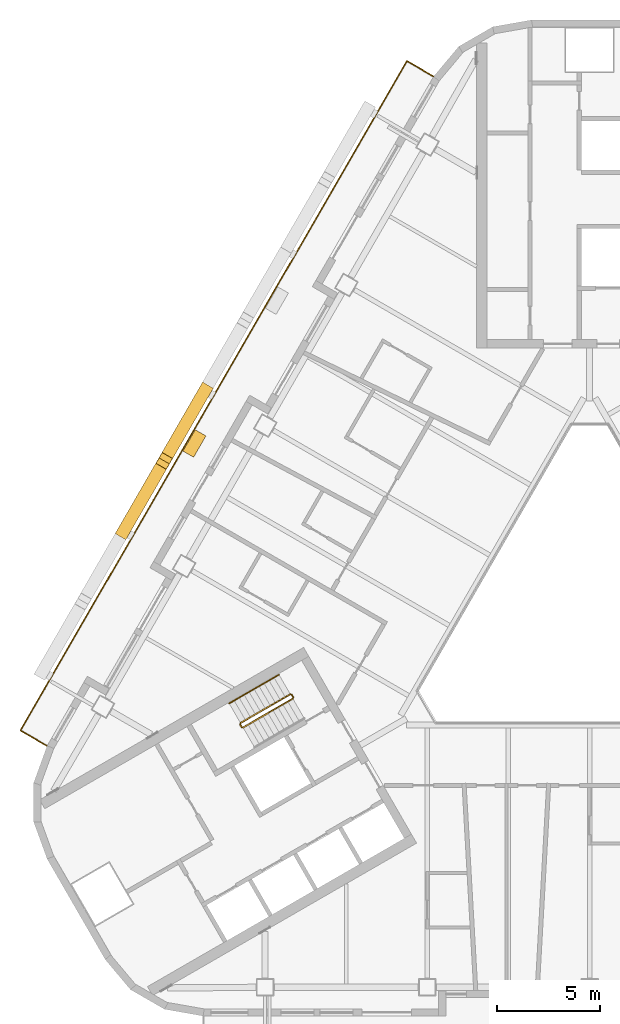
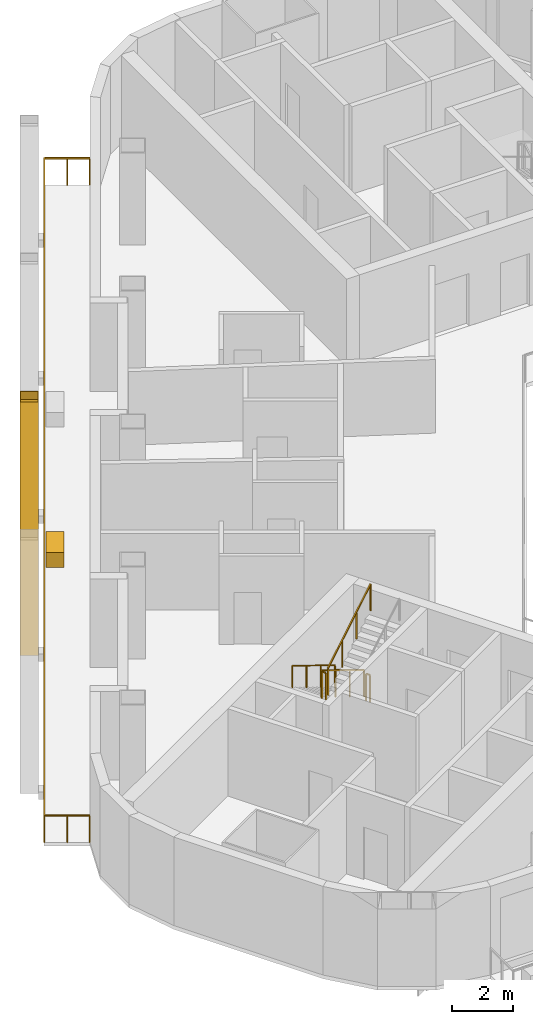
# One storey, part 13 of 17: 6 railings, 2 shading devices, 1 covering.
"""IFC4 building model written with IfcOpenShell, lengths in metres."""

from ifc_helpers import new_model, si_unit, direction, frame, origin, origin_2d, place, context, subcontext, project, spatial, rectangle, hollow_rectangle, circle, extrude, material, material_profile, profile_set, type_object, element, save


model = new_model("IFC4")

# Units and contexts
model_context = context("Model", 3, precision=1e-05, world=origin(), true_north=direction((0.0, 1.0)))
body_context = subcontext(model_context, "Body", "Model", "MODEL_VIEW")
ifc_project = project(units=[si_unit("LENGTHUNIT", "METRE"), si_unit("AREAUNIT", "SQUARE_METRE"), si_unit("VOLUMEUNIT", "CUBIC_METRE"), si_unit("PLANEANGLEUNIT", "RADIAN"), si_unit("MASSUNIT", "GRAM", prefix="KILO")], contexts=[model_context])

# Site, building, storey
site_placement = place(None, origin())
site = spatial("IfcSite", under=ifc_project, at=site_placement, CompositionType="ELEMENT")
building_placement = place(site_placement, origin())
building = spatial("IfcBuilding", under=site, at=building_placement, Name="Apuvela Tower Hotel", CompositionType="ELEMENT")
storey_placement = place(building_placement, frame((0.0, 0.0, 146.60009765625)))
storey = spatial("IfcBuildingStorey", under=building, at=storey_placement, Name="L34", CompositionType="ELEMENT", Elevation=146.60009765625)

# Railings
ifc_material_1 = material(Name="Steel S275 balustrade", Category="steel")
railing_type_1 = type_object("IfcRailingType", Name="COR-GUARD-1100", PredefinedType="GUARDRAIL", material=ifc_material_1)
railing_1_placement = place(storey_placement, frame((-14.569091796875, -3.9658203125, 0.16796875)))
element("IfcRailing", 1, at=railing_1_placement, inside=storey, type_object=railing_type_1, Name="L34 ST2 stair guard 1", PredefinedType="GUARDRAIL", context=body_context, shape_type="SweptSolid", body=[
    extrude(rectangle(XDim=0.048095703125, YDim=0.048095703125, at=origin_2d()), frame((0.0, 0.0, 1.076171875), z_axis=(-0.742390482028, -0.42860119049, 0.514934356695), x_axis=(0.49998411664, -0.866034573852, 0.0)), (0.0, 0.0, 1.0), 3.26611328125),
    extrude(rectangle(XDim=0.0419921875, YDim=0.0419921875, at=origin_2d()), origin(), (0.0, 0.0, 1.0), 1.052001953125),
    extrude(rectangle(XDim=0.0419921875, YDim=0.0419921875, at=origin_2d()), frame((-0.808349609375, -0.466552734375, 0.560546875)), (0.0, 0.0, 1.0), 1.052001953125),
    extrude(rectangle(XDim=0.0419921875, YDim=0.0419921875, at=origin_2d()), frame((-1.616455078125, -0.933349609375, 1.121337890625)), (0.0, 0.0, 1.0), 1.052001953125),
    extrude(rectangle(XDim=0.0419921875, YDim=0.0419921875, at=origin_2d()), frame((-2.4248046875, -1.39990234375, 1.681884765625)), (0.0, 0.0, 1.0), 1.052001953125),
])
railing_2_placement = place(storey_placement, frame((-17.01220703125, -5.43408203125, 1.849853515625)))
element("IfcRailing", 2, at=railing_2_placement, inside=storey, type_object=railing_type_1, Name="L34 ST2 stair guard 2", PredefinedType="GUARDRAIL", context=body_context, shape_type="SweptSolid", body=[
    extrude(rectangle(XDim=0.048095703125, YDim=0.048095703125, at=origin_2d()), frame((0.0, 0.0, 1.076171875), z_axis=(0.499816412211, -0.866131372301, 0.0), x_axis=(0.866131372301, 0.499816412211, 0.0)), (0.0, 0.0, 1.0), 0.14990234375),
    extrude(rectangle(XDim=0.0419921875, YDim=0.0419921875, at=origin_2d()), origin(), (0.0, 0.0, 1.0), 1.052001953125),
    extrude(rectangle(XDim=0.0419921875, YDim=0.0419921875, at=origin_2d()), frame((0.074951171875, -0.1298828125, 0.0)), (0.0, 0.0, 1.0), 1.052001953125),
])
railing_3_placement = place(storey_placement, frame((-16.868896484375, -5.582275390625, 2.01806640625)))
element("IfcRailing", 3, at=railing_3_placement, inside=storey, type_object=railing_type_1, Name="L34 ST2 stair guard 3", PredefinedType="GUARDRAIL", context=body_context, shape_type="SweptSolid", body=[
    extrude(rectangle(XDim=0.048095703125, YDim=0.048095703125, at=origin_2d()), frame((0.0, 0.0, 1.076171875), z_axis=(0.742390482028, 0.42860119049, 0.514934356695), x_axis=(-0.49998411664, 0.866034573852, 0.0)), (0.0, 0.0, 1.0), 3.26611328125),
    extrude(rectangle(XDim=0.0419921875, YDim=0.0419921875, at=origin_2d()), origin(), (0.0, 0.0, 1.0), 1.052001953125),
    extrude(rectangle(XDim=0.0419921875, YDim=0.0419921875, at=origin_2d()), frame((0.808349609375, 0.466552734375, 0.560546875)), (0.0, 0.0, 1.0), 1.052001953125),
    extrude(rectangle(XDim=0.0419921875, YDim=0.0419921875, at=origin_2d()), frame((1.616455078125, 0.933349609375, 1.121337890625)), (0.0, 0.0, 1.0), 1.052001953125),
    extrude(rectangle(XDim=0.0419921875, YDim=0.0419921875, at=origin_2d()), frame((2.4248046875, 1.39990234375, 1.681884765625)), (0.0, 0.0, 1.0), 1.052001953125),
])
railing_4_placement = place(storey_placement, frame((-14.500732421875, -3.984130859375, 0.0)))
element("IfcRailing", 4, at=railing_4_placement, inside=storey, type_object=railing_type_1, Name="L34 ST2 stair guard 4", PredefinedType="GUARDRAIL", context=body_context, shape_type="SweptSolid", body=[
    extrude(rectangle(XDim=0.048095703125, YDim=0.048095703125, at=origin_2d()), frame((0.0, 0.0, 1.076171875), z_axis=(0.499816412211, -0.866131372301, 0.0), x_axis=(0.866131372301, 0.499816412211, 0.0)), (0.0, 0.0, 1.0), 0.14990234375),
    extrude(rectangle(XDim=0.0419921875, YDim=0.0419921875, at=origin_2d()), origin(), (0.0, 0.0, 1.0), 1.052001953125),
    extrude(rectangle(XDim=0.0419921875, YDim=0.0419921875, at=origin_2d()), frame((0.074951171875, -0.1298828125, 0.0)), (0.0, 0.0, 1.0), 1.052001953125),
])
ifc_material_2 = material(Name="Stainless steel 316 handrail", Category="steel")
railing_type_2 = type_object("IfcRailingType", Name="COR-HANDRAIL-900", PredefinedType="HANDRAIL", material=ifc_material_2)
railing_5_placement = place(storey_placement, frame((-15.118896484375, -3.01318359375, 0.16796875)))
element("IfcRailing", 5, at=railing_5_placement, inside=storey, type_object=railing_type_2, Name="L34 ST2 stair handrail 1", PredefinedType="HANDRAIL", context=body_context, shape_type="SweptSolid", body=[
    extrude(circle(Radius=0.02392578125, at=origin_2d()), frame((0.0, 0.0, 0.8759765625), z_axis=(-0.742424030051, -0.428577407461, 0.514905783049), x_axis=(0.49994636267, -0.866056369097, 0.0)), (0.0, 0.0, 1.0), 3.266357421875),
    extrude(rectangle(XDim=0.0419921875, YDim=0.0419921875, at=origin_2d()), origin(), (0.0, 0.0, 1.0), 0.851806640625),
    extrude(rectangle(XDim=0.0419921875, YDim=0.0419921875, at=origin_2d()), frame((-0.808349609375, -0.466552734375, 0.560546875)), (0.0, 0.0, 1.0), 0.851806640625),
    extrude(rectangle(XDim=0.0419921875, YDim=0.0419921875, at=origin_2d()), frame((-1.61669921875, -0.933349609375, 1.121337890625)), (0.0, 0.0, 1.0), 0.851806640625),
    extrude(rectangle(XDim=0.0419921875, YDim=0.0419921875, at=origin_2d()), frame((-2.425048828125, -1.39990234375, 1.681884765625)), (0.0, 0.0, 1.0), 0.851806640625),
])

# Shading devices
ifc_material_3 = material(Name="Aluminium 6063-T6, black anodised", Category="aluminium")
ifc_material_profile = material_profile(ifc_material_3, hollow_rectangle(XDim=0.60009765625, YDim=0.699951171875, WallThickness=0.011962890625, at=origin_2d()), Name="AL BOX 700x600x12")
ifc_profile_set = profile_set([ifc_material_profile], Name="Aluminium 6063-T6, black anodised")
shading_device_type = type_object("IfcShadingDeviceType", Name="ENV-FIN-700x600", PredefinedType="USERDEFINED", material=ifc_profile_set)
shading_device_1_placement = place(storey_placement, frame((-18.732177734375, 10.81494140625, -0.10009765625), z_axis=(-0.235436388043, -0.407800622186, 0.882195193667), x_axis=(0.866032218625, -0.499988196164, 0.0)))
element("IfcShadingDevice", 6, at=shading_device_1_placement, inside=storey, type_object=shading_device_type, Name="Lattice fin NW389", ObjectType="FIN", PredefinedType="USERDEFINED", context=body_context, shape_type="SweptSolid", body=[
    extrude(hollow_rectangle(XDim=0.60009765625, YDim=0.699951171875, WallThickness=0.011962890625, at=origin_2d()), origin(), (0.0, 0.0, 1.0), 8.387939453125),
])
shading_device_2_placement = place(storey_placement, frame((-22.68212890625, 3.973388671875, -0.10009765625), z_axis=(0.235461085354, 0.407822092458, 0.882178677019), x_axis=(-0.866020906874, 0.500007788796, 0.0)))
element("IfcShadingDevice", 7, at=shading_device_2_placement, inside=storey, type_object=shading_device_type, Name="Lattice fin NW390", ObjectType="FIN", PredefinedType="USERDEFINED", context=body_context, shape_type="SweptSolid", body=[
    extrude(hollow_rectangle(XDim=0.60009765625, YDim=0.699951171875, WallThickness=0.011962890625, at=origin_2d()), origin(), (0.0, 0.0, 1.0), 8.38818359375),
])

# Railing
ifc_material_4 = material(Name="Stainless steel 316 rail with laminated glass infill", Category="steel")
railing_type_3 = type_object("IfcRailingType", Name="ENV-GUARD-1100", PredefinedType="GUARDRAIL", material=ifc_material_4)
railing_6_placement = place(storey_placement, frame((-7.59228515625, 26.110107421875, 0.0)))
element("IfcRailing", 8, at=railing_6_placement, inside=storey, type_object=railing_type_3, Name="Balcony guard NW L34", PredefinedType="GUARDRAIL", context=body_context, shape_type="SweptSolid", body=[
    extrude(rectangle(XDim=0.050048828125, YDim=0.050048828125, at=origin_2d()), frame((0.0, 0.0, 1.0751953125), z_axis=(-0.86599040064, 0.500060622324, 0.0), x_axis=(-0.500060622324, -0.86599040064, 0.0)), (0.0, 0.0, 1.0), 1.499755859375),
    extrude(rectangle(XDim=0.050048828125, YDim=0.050048828125, at=origin_2d()), frame((-1.298828125, 0.75, 1.0751953125), z_axis=(-0.500000437506, -0.86602515119, 0.0), x_axis=(0.86602515119, -0.500000437506, 0.0)), (0.0, 0.0, 1.0), 37.6318359375),
    extrude(rectangle(XDim=0.050048828125, YDim=0.050048828125, at=origin_2d()), frame((-20.11474609375, -31.840087890625, 1.0751953125), z_axis=(0.866031096941, -0.499990139034, 0.0), x_axis=(0.499990139034, 0.866031096941, 0.0)), (0.0, 0.0, 1.0), 1.5),
    extrude(rectangle(XDim=0.0400390625, YDim=0.0400390625, at=origin_2d()), origin(), (0.0, 0.0, 1.0), 1.050048828125),
    extrude(rectangle(XDim=0.0400390625, YDim=0.0400390625, at=origin_2d()), frame((-0.6494140625, 0.375, 0.0)), (0.0, 0.0, 1.0), 1.050048828125),
    extrude(rectangle(XDim=0.0400390625, YDim=0.0400390625, at=origin_2d()), frame((-1.298828125, 0.75, 0.0)), (0.0, 0.0, 1.0), 1.050048828125),
    extrude(rectangle(XDim=0.0400390625, YDim=0.0400390625, at=origin_2d()), frame((-1.88671875, -0.2685546875, 0.0)), (0.0, 0.0, 1.0), 1.050048828125),
    extrude(rectangle(XDim=0.0400390625, YDim=0.0400390625, at=origin_2d()), frame((-2.474853515625, -1.286865234375, 0.0)), (0.0, 0.0, 1.0), 1.050048828125),
    extrude(rectangle(XDim=0.0400390625, YDim=0.0400390625, at=origin_2d()), frame((-3.062744140625, -2.305419921875, 0.0)), (0.0, 0.0, 1.0), 1.050048828125),
    extrude(rectangle(XDim=0.0400390625, YDim=0.0400390625, at=origin_2d()), frame((-3.65087890625, -3.32373046875, 0.0)), (0.0, 0.0, 1.0), 1.050048828125),
    extrude(rectangle(XDim=0.0400390625, YDim=0.0400390625, at=origin_2d()), frame((-4.23876953125, -4.34228515625, 0.0)), (0.0, 0.0, 1.0), 1.050048828125),
    extrude(rectangle(XDim=0.0400390625, YDim=0.0400390625, at=origin_2d()), frame((-4.826904296875, -5.360595703125, 0.0)), (0.0, 0.0, 1.0), 1.050048828125),
    extrude(rectangle(XDim=0.0400390625, YDim=0.0400390625, at=origin_2d()), frame((-5.414794921875, -6.379150390625, 0.0)), (0.0, 0.0, 1.0), 1.050048828125),
    extrude(rectangle(XDim=0.0400390625, YDim=0.0400390625, at=origin_2d()), frame((-6.0029296875, -7.3974609375, 0.0)), (0.0, 0.0, 1.0), 1.050048828125),
    extrude(rectangle(XDim=0.0400390625, YDim=0.0400390625, at=origin_2d()), frame((-6.5908203125, -8.416015625, 0.0)), (0.0, 0.0, 1.0), 1.050048828125),
    extrude(rectangle(XDim=0.0400390625, YDim=0.0400390625, at=origin_2d()), frame((-7.1787109375, -9.434326171875, 0.0)), (0.0, 0.0, 1.0), 1.050048828125),
    extrude(rectangle(XDim=0.0400390625, YDim=0.0400390625, at=origin_2d()), frame((-7.766845703125, -10.452880859375, 0.0)), (0.0, 0.0, 1.0), 1.050048828125),
    extrude(rectangle(XDim=0.0400390625, YDim=0.0400390625, at=origin_2d()), frame((-8.354736328125, -11.47119140625, 0.0)), (0.0, 0.0, 1.0), 1.050048828125),
    extrude(rectangle(XDim=0.0400390625, YDim=0.0400390625, at=origin_2d()), frame((-8.94287109375, -12.48974609375, 0.0)), (0.0, 0.0, 1.0), 1.050048828125),
    extrude(rectangle(XDim=0.0400390625, YDim=0.0400390625, at=origin_2d()), frame((-9.53076171875, -13.508056640625, 0.0)), (0.0, 0.0, 1.0), 1.050048828125),
    extrude(rectangle(XDim=0.0400390625, YDim=0.0400390625, at=origin_2d()), frame((-10.118896484375, -14.526611328125, 0.0)), (0.0, 0.0, 1.0), 1.050048828125),
    extrude(rectangle(XDim=0.0400390625, YDim=0.0400390625, at=origin_2d()), frame((-10.706787109375, -15.544921875, 0.0)), (0.0, 0.0, 1.0), 1.050048828125),
    extrude(rectangle(XDim=0.0400390625, YDim=0.0400390625, at=origin_2d()), frame((-11.294677734375, -16.5634765625, 0.0)), (0.0, 0.0, 1.0), 1.050048828125),
    extrude(rectangle(XDim=0.0400390625, YDim=0.0400390625, at=origin_2d()), frame((-11.8828125, -17.58203125, 0.0)), (0.0, 0.0, 1.0), 1.050048828125),
    extrude(rectangle(XDim=0.0400390625, YDim=0.0400390625, at=origin_2d()), frame((-12.470703125, -18.600341796875, 0.0)), (0.0, 0.0, 1.0), 1.050048828125),
    extrude(rectangle(XDim=0.0400390625, YDim=0.0400390625, at=origin_2d()), frame((-13.058837890625, -19.618896484375, 0.0)), (0.0, 0.0, 1.0), 1.050048828125),
    extrude(rectangle(XDim=0.0400390625, YDim=0.0400390625, at=origin_2d()), frame((-13.646728515625, -20.63720703125, 0.0)), (0.0, 0.0, 1.0), 1.050048828125),
    extrude(rectangle(XDim=0.0400390625, YDim=0.0400390625, at=origin_2d()), frame((-14.23486328125, -21.65576171875, 0.0)), (0.0, 0.0, 1.0), 1.050048828125),
    extrude(rectangle(XDim=0.0400390625, YDim=0.0400390625, at=origin_2d()), frame((-14.82275390625, -22.674072265625, 0.0)), (0.0, 0.0, 1.0), 1.050048828125),
    extrude(rectangle(XDim=0.0400390625, YDim=0.0400390625, at=origin_2d()), frame((-15.41064453125, -23.692626953125, 0.0)), (0.0, 0.0, 1.0), 1.050048828125),
    extrude(rectangle(XDim=0.0400390625, YDim=0.0400390625, at=origin_2d()), frame((-15.998779296875, -24.7109375, 0.0)), (0.0, 0.0, 1.0), 1.050048828125),
    extrude(rectangle(XDim=0.0400390625, YDim=0.0400390625, at=origin_2d()), frame((-16.586669921875, -25.7294921875, 0.0)), (0.0, 0.0, 1.0), 1.050048828125),
    extrude(rectangle(XDim=0.0400390625, YDim=0.0400390625, at=origin_2d()), frame((-17.1748046875, -26.747802734375, 0.0)), (0.0, 0.0, 1.0), 1.050048828125),
    extrude(rectangle(XDim=0.0400390625, YDim=0.0400390625, at=origin_2d()), frame((-17.7626953125, -27.766357421875, 0.0)), (0.0, 0.0, 1.0), 1.050048828125),
    extrude(rectangle(XDim=0.0400390625, YDim=0.0400390625, at=origin_2d()), frame((-18.350830078125, -28.78466796875, 0.0)), (0.0, 0.0, 1.0), 1.050048828125),
    extrude(rectangle(XDim=0.0400390625, YDim=0.0400390625, at=origin_2d()), frame((-18.938720703125, -29.80322265625, 0.0)), (0.0, 0.0, 1.0), 1.050048828125),
    extrude(rectangle(XDim=0.0400390625, YDim=0.0400390625, at=origin_2d()), frame((-19.52685546875, -30.821533203125, 0.0)), (0.0, 0.0, 1.0), 1.050048828125),
    extrude(rectangle(XDim=0.0400390625, YDim=0.0400390625, at=origin_2d()), frame((-20.11474609375, -31.840087890625, 0.0)), (0.0, 0.0, 1.0), 1.050048828125),
    extrude(rectangle(XDim=0.0400390625, YDim=0.0400390625, at=origin_2d()), frame((-19.46533203125, -32.215087890625, 0.0)), (0.0, 0.0, 1.0), 1.050048828125),
    extrude(rectangle(XDim=0.0400390625, YDim=0.0400390625, at=origin_2d()), frame((-18.815673828125, -32.590087890625, 0.0)), (0.0, 0.0, 1.0), 1.050048828125),
])

# Covering
ifc_material_5 = material(Name="Planting substrate and soil, planted")
covering_type = type_object("IfcCoveringType", Name="ENV-PLANTER-1200x600", PredefinedType="USERDEFINED", material=ifc_material_5)
covering_placement = place(storey_placement, frame((-19.23583984375, 8.242431640625, -0.000244140625), z_axis=(0.0, 0.0, 1.0), x_axis=(-0.5, -0.866025403784, 0.0)))
element("IfcCovering", 9, at=covering_placement, inside=storey, type_object=covering_type, Name="Planter NW5", ObjectType="PLANTER", PredefinedType="USERDEFINED", context=body_context, shape_type="SweptSolid", body=[
    extrude(rectangle(XDim=1.199951171875, YDim=0.60009765625, at=origin_2d()), origin(), (0.0, 0.0, 1.0), 0.60009765625),
])

save(model, "model.ifc")
